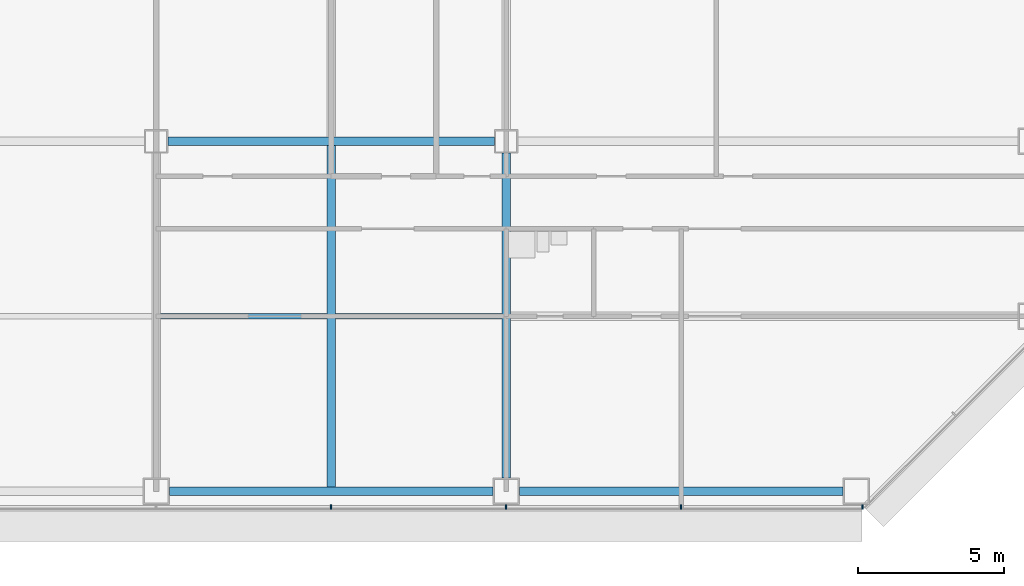
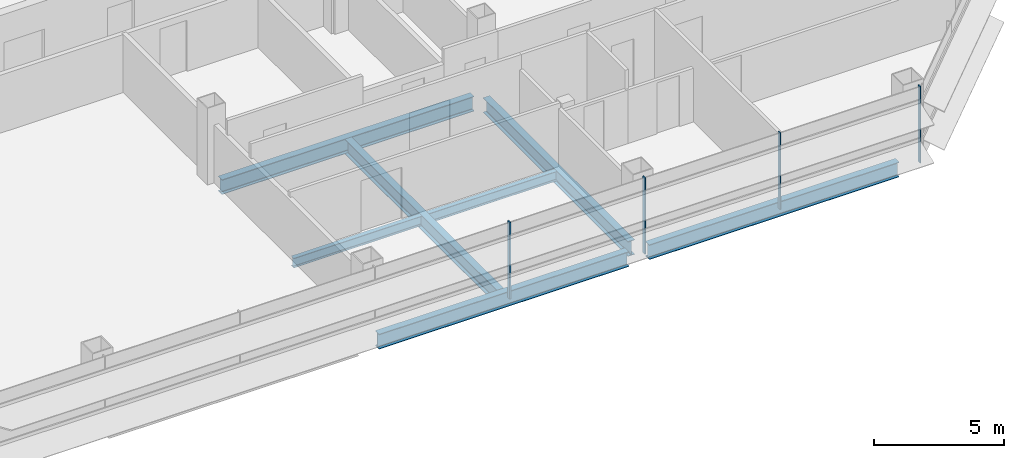
# One storey, part 9 of 28: 7 beams, 4 members, 1 element without a shape of its own.
"""IFC4 building model written with IfcOpenShell, lengths in metres."""

from ifc_helpers import new_model, si_unit, direction, frame, origin, origin_2d, place, context, subcontext, project, spatial, rectangle, i_section, extrude, material, material_profile, profile_set, type_object, element, aggregate, save


model = new_model("IFC4")

# Units and contexts
model_context = context("Model", 3, precision=1e-05, world=origin(), true_north=direction((0.0, 1.0)))
body_context = subcontext(model_context, "Body", "Model", "MODEL_VIEW")
ifc_project = project(units=[si_unit("LENGTHUNIT", "METRE"), si_unit("AREAUNIT", "SQUARE_METRE"), si_unit("VOLUMEUNIT", "CUBIC_METRE"), si_unit("PLANEANGLEUNIT", "RADIAN"), si_unit("MASSUNIT", "GRAM", prefix="KILO")], contexts=[model_context])

# Site, building, storey
site_placement = place(None, origin())
site = spatial("IfcSite", under=ifc_project, at=site_placement, CompositionType="ELEMENT")
building_placement = place(site_placement, origin())
building = spatial("IfcBuilding", under=site, at=building_placement, Name="Sorahane Residences", CompositionType="ELEMENT")
storey_placement = place(building_placement, frame((0.0, 0.0, 60.60009765625)))
storey = spatial("IfcBuildingStorey", under=building, at=storey_placement, Name="L11", CompositionType="ELEMENT", Elevation=60.60009765625)

# Curtain wall, members
ifc_material_1 = material(Name="Dark low-e glass and black anodised aluminium", Category="aluminium")
curtain_wall_type = type_object("IfcCurtainWallType", Name="Curtain wall CW-1 Typical unitised wall", PredefinedType="NOTDEFINED", material=ifc_material_1)
curtain_wall_placement = place(storey_placement, origin())
curtain_wall = element("IfcCurtainWall", 1, at=curtain_wall_placement, inside=storey, type_object=curtain_wall_type, Name="CW-1 curtain wall L11 S2", PredefinedType="NOTDEFINED")
ifc_material_2 = material(Name="Black anodised aluminium", Category="aluminium")
ifc_material_profile_1 = material_profile(ifc_material_2, rectangle(XDim=0.159912109375, YDim=0.050048828125, at=origin_2d()), Name="Curtain wall mullion CW-1 black anodised aluminium 50x160")
ifc_profile_set_1 = profile_set([ifc_material_profile_1], Name="Black anodised aluminium")
member_type = type_object("IfcMemberType", Name="Curtain wall mullion CW-1 black anodised aluminium 50x160", PredefinedType="MULLION", material=ifc_profile_set_1)
member_1_placement = place(storey_placement, frame((42.0, -0.5400390625, -0.18017578125), z_axis=(0.0, 0.0, 1.0), x_axis=(0.0, -1.0, 0.0)))
member_1 = element("IfcMember", 2, at=member_1_placement, type_object=member_type, Name="CW-1 mullion L11 S2.6", PredefinedType="MULLION", context=body_context, shape_type="SweptSolid", body=[
    extrude(rectangle(XDim=0.159912109375, YDim=0.050048828125, at=origin_2d()), origin(), (0.0, 0.0, 1.0), 3.60009765625),
])
member_2_placement = place(storey_placement, frame((48.0, -0.5400390625, -0.18017578125), z_axis=(0.0, 0.0, 1.0), x_axis=(0.0, -1.0, 0.0)))
member_2 = element("IfcMember", 3, at=member_2_placement, type_object=member_type, Name="CW-1 mullion L11 S2.7", PredefinedType="MULLION", context=body_context, shape_type="SweptSolid", body=[
    extrude(rectangle(XDim=0.159912109375, YDim=0.050048828125, at=origin_2d()), origin(), (0.0, 0.0, 1.0), 3.60009765625),
])
member_3_placement = place(storey_placement, frame((54.0, -0.5400390625, -0.18017578125), z_axis=(0.0, 0.0, 1.0), x_axis=(0.0, -1.0, 0.0)))
member_3 = element("IfcMember", 4, at=member_3_placement, type_object=member_type, Name="CW-1 mullion L11 S2.8", PredefinedType="MULLION", context=body_context, shape_type="SweptSolid", body=[
    extrude(rectangle(XDim=0.159912109375, YDim=0.050048828125, at=origin_2d()), origin(), (0.0, 0.0, 1.0), 3.60009765625),
])
member_4_placement = place(storey_placement, frame((60.2236328125, -0.5400390625, -0.18017578125), z_axis=(0.0, 0.0, 1.0), x_axis=(0.0, -1.0, 0.0)))
member_4 = element("IfcMember", 5, at=member_4_placement, type_object=member_type, Name="CW-1 mullion L11 S2.9", PredefinedType="MULLION", context=body_context, shape_type="SweptSolid", body=[
    extrude(rectangle(XDim=0.159912109375, YDim=0.050048828125, at=origin_2d()), origin(), (0.0, 0.0, 1.0), 3.60009765625),
])
aggregate(curtain_wall, [member_1, member_2, member_3, member_4])

# Beams
ifc_material_3 = material(Name="Steel Q355B", Category="steel")
ifc_material_profile_2 = material_profile(ifc_material_3, i_section(OverallWidth=0.199951171875, OverallDepth=0.449951171875, WebThickness=0.009033203125, FlangeThickness=0.013916015625, FilletRadius=0.02001953125, at=origin_2d()), Name="HN 450x200x9x14")
ifc_profile_set_2 = profile_set([ifc_material_profile_2], Name="Steel Q355B")
beam_type_1 = type_object("IfcBeamType", Name="Steel floor beam HN 450x200x9x14 Q355B", PredefinedType="BEAM", material=ifc_profile_set_2)
for number, where, z_axis, x_axis, name in (
    (6, (36.14990234375, 6.0, -0.405029296875), (1.0, 0.0, 0.0), (0.0, 1.0, 0.0), "Beam L11 065"),
    (7, (42.14990234375, 6.0, -0.405029296875), (1.0, 0.0, 0.0), (0.0, 1.0, 0.0), "Beam L11 066"),
):
    element("IfcBeam", number, at=place(storey_placement, frame(where, z_axis=z_axis, x_axis=x_axis)), inside=storey, type_object=beam_type_1, Name=name, PredefinedType="BEAM", context=body_context, shape_type="SweptSolid", body=[
        extrude(i_section(OverallWidth=0.199951171875, OverallDepth=0.449951171875, WebThickness=0.009033203125, FlangeThickness=0.013916015625, FilletRadius=0.02001953125, at=origin_2d()), origin(), (0.0, 0.0, 1.0), 5.7001953125),
    ])
ifc_material_4 = material(Name="Steel Q355B", Category="steel")
ifc_material_profile_3 = material_profile(ifc_material_4, i_section(OverallWidth=0.300048828125, OverallDepth=0.699951171875, WebThickness=0.012939453125, FlangeThickness=0.02392578125, FilletRadius=0.028076171875, at=origin_2d()), Name="HN 700x300x13x24")
ifc_profile_set_3 = profile_set([ifc_material_profile_3], Name="Steel Q355B")
beam_type_2 = type_object("IfcBeamType", Name="Steel floor beam HN 700x300x13x24 Q355B", PredefinedType="BEAM", material=ifc_profile_set_3)
for number, where, z_axis, x_axis, name in (
    (8, (36.449951171875, 0.0, -0.530029296875), (1.0, 0.0, 0.0), (0.0, 1.0, 0.0), "Beam L11 003"),
    (9, (48.449951171875, 0.0, -0.530029296875), (1.0, 0.0, 0.0), (0.0, 1.0, 0.0), "Beam L11 004"),
):
    element("IfcBeam", number, at=place(storey_placement, frame(where, z_axis=z_axis, x_axis=x_axis)), inside=storey, type_object=beam_type_2, Name=name, PredefinedType="BEAM", context=body_context, shape_type="SweptSolid", body=[
        extrude(i_section(OverallWidth=0.300048828125, OverallDepth=0.699951171875, WebThickness=0.012939453125, FlangeThickness=0.02392578125, FilletRadius=0.028076171875, at=origin_2d()), origin(), (0.0, 0.0, 1.0), 11.10009765625),
    ])
beam_1_placement = place(storey_placement, frame((36.39990234375, 12.0, -0.530029296875), z_axis=(1.0, 0.0, 0.0), x_axis=(0.0, 1.0, 0.0)))
element("IfcBeam", 10, at=beam_1_placement, inside=storey, type_object=beam_type_2, Name="Beam L11 008", PredefinedType="BEAM", context=body_context, shape_type="SweptSolid", body=[
    extrude(i_section(OverallWidth=0.300048828125, OverallDepth=0.699951171875, WebThickness=0.012939453125, FlangeThickness=0.02392578125, FilletRadius=0.028076171875, at=origin_2d()), origin(), (0.0, 0.0, 1.0), 11.2001953125),
])
beam_2_placement = place(storey_placement, frame((42.0, 0.14990234375, -0.530029296875), z_axis=(0.0, 1.0, 0.0), x_axis=(-1.0, 0.0, 0.0)))
element("IfcBeam", 11, at=beam_2_placement, inside=storey, type_object=beam_type_2, Name="Beam L11 044", PredefinedType="BEAM", context=body_context, shape_type="SweptSolid", body=[
    extrude(i_section(OverallWidth=0.300048828125, OverallDepth=0.699951171875, WebThickness=0.012939453125, FlangeThickness=0.02392578125, FilletRadius=0.028076171875, at=origin_2d()), origin(), (0.0, 0.0, 1.0), 11.7001953125),
])
beam_3_placement = place(storey_placement, frame((48.0, 0.449951171875, -0.530029296875), z_axis=(0.0, 1.0, 0.0), x_axis=(-1.0, 0.0, 0.0)))
element("IfcBeam", 12, at=beam_3_placement, inside=storey, type_object=beam_type_2, Name="Beam L11 050", PredefinedType="BEAM", context=body_context, shape_type="SweptSolid", body=[
    extrude(i_section(OverallWidth=0.300048828125, OverallDepth=0.699951171875, WebThickness=0.012939453125, FlangeThickness=0.02392578125, FilletRadius=0.028076171875, at=origin_2d()), origin(), (0.0, 0.0, 1.0), 11.150146484375),
])

save(model, "model.ifc")
